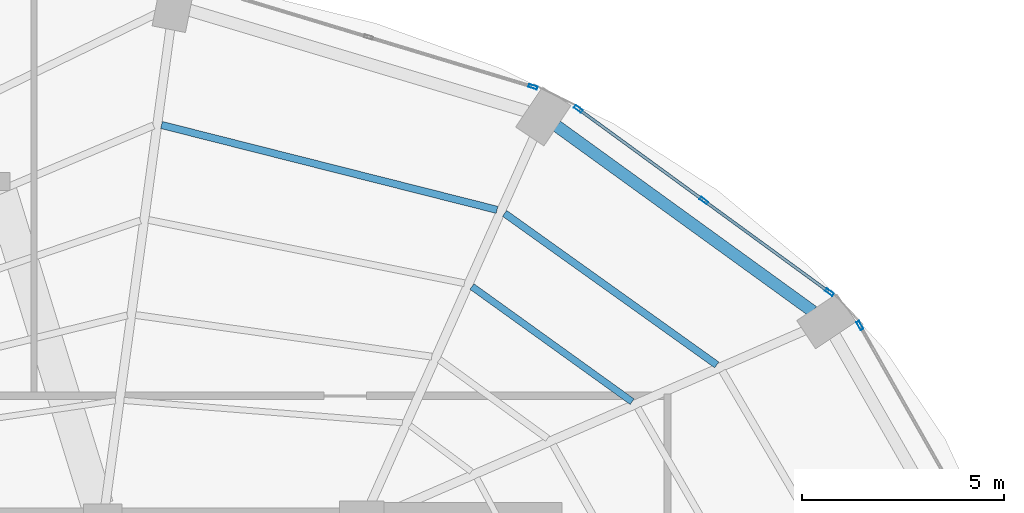
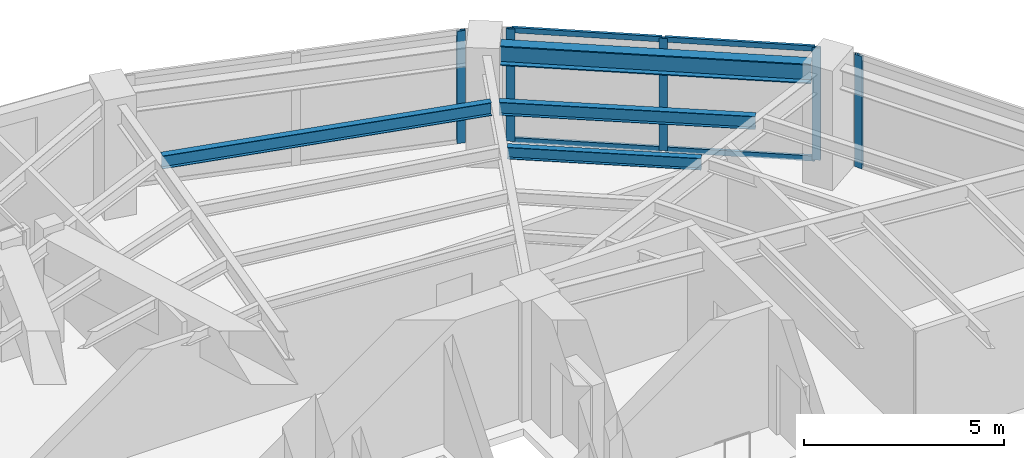
# One storey, part 17 of 24: 9 members, 4 beams, 3 elements without a shape of their own.
"""IFC4 building model written with IfcOpenShell, lengths in metres."""

from ifc_helpers import new_model, si_unit, direction, frame, origin, origin_2d, place, context, subcontext, project, spatial, hollow_rectangle, i_section, extrude, material, layer, layer_set, material_profile, profile_set, type_object, element, aggregate, save


model = new_model("IFC4")

# Units and contexts
model_context = context("Model", 3, precision=1e-05, world=origin(), true_north=direction((0.0, 1.0)))
body_context = subcontext(model_context, "Body", "Model", "MODEL_VIEW")
ifc_project = project(units=[si_unit("LENGTHUNIT", "METRE"), si_unit("AREAUNIT", "SQUARE_METRE"), si_unit("VOLUMEUNIT", "CUBIC_METRE"), si_unit("PLANEANGLEUNIT", "RADIAN"), si_unit("MASSUNIT", "GRAM", prefix="KILO")], contexts=[model_context])

# Site, building, storey
site_placement = place(None, origin())
site = spatial("IfcSite", under=ifc_project, at=site_placement, CompositionType="ELEMENT")
building_placement = place(site_placement, origin())
building = spatial("IfcBuilding", under=site, at=building_placement, Name="Lazwardi Medical Tower", CompositionType="ELEMENT")
storey_placement = place(building_placement, frame((0.0, 0.0, 96.3359375)))
storey = spatial("IfcBuildingStorey", under=building, at=storey_placement, Name="L24", CompositionType="ELEMENT", Elevation=96.3359375)

# Beams
ifc_material_1 = material(Name="Steel S355", Category="steel")
ifc_material_profile_1 = material_profile(ifc_material_1, i_section(OverallWidth=0.300048828125, OverallDepth=0.60009765625, WebThickness=0.015380859375, FlangeThickness=0.030029296875, at=origin_2d()), Name="HEB 600")
ifc_profile_set_1 = profile_set([ifc_material_profile_1], Name="Steel S355")
beam_type_1 = type_object("IfcBeamType", Name="BM-RB-Z2", PredefinedType="BEAM", material=ifc_profile_set_1)
beam_1_placement = place(storey_placement, frame((56.74560546875, 40.835205078125, 3.128173828125), z_axis=(-0.81005674773, 0.586351486275, 0.0), x_axis=(-0.586351486275, -0.81005674773, 0.0)))
element("IfcBeam", 1, at=beam_1_placement, inside=storey, type_object=beam_type_1, Name="Ring beam RB-03 B06 L24", PredefinedType="BEAM", context=body_context, shape_type="SweptSolid", body=[
    extrude(i_section(OverallWidth=0.300048828125, OverallDepth=0.60009765625, WebThickness=0.015380859375, FlangeThickness=0.030029296875, at=origin_2d()), origin(), (0.0, 0.0, 1.0), 7.81396484375),
])
ifc_material_profile_2 = material_profile(ifc_material_1, i_section(OverallWidth=0.179931640625, OverallDepth=0.39990234375, WebThickness=0.008544921875, FlangeThickness=0.013427734375, at=origin_2d()), Name="IPE 400")
ifc_profile_set_2 = profile_set([ifc_material_profile_2], Name="Steel S355")
beam_type_2 = type_object("IfcBeamType", Name="BM-SJ-01", PredefinedType="JOIST", material=ifc_profile_set_2)
beam_2_placement = place(storey_placement, frame((54.369384765625, 39.514404296875, 3.22802734375), z_axis=(-0.813748834317, 0.581216684763, 0.0), x_axis=(-0.581216684763, -0.813748834317, 0.0)))
element("IfcBeam", 2, at=beam_2_placement, inside=storey, type_object=beam_type_2, Name="Secondary joist SJ-01 R1 B06 L24", PredefinedType="JOIST", context=body_context, shape_type="SweptSolid", body=[
    extrude(i_section(OverallWidth=0.179931640625, OverallDepth=0.39990234375, WebThickness=0.008544921875, FlangeThickness=0.013427734375, at=origin_2d()), origin(), (0.0, 0.0, 1.0), 6.4423828125),
])
beam_3_placement = place(storey_placement, frame((48.939697265625, 43.345703125, 3.22802734375), z_axis=(-0.96945186753, 0.245281626997, 0.0), x_axis=(-0.245281626997, -0.96945186753, 0.0)))
element("IfcBeam", 3, at=beam_3_placement, inside=storey, type_object=beam_type_2, Name="Secondary joist SJ-01 R1 B07 L24", PredefinedType="JOIST", context=body_context, shape_type="SweptSolid", body=[
    extrude(i_section(OverallWidth=0.179931640625, OverallDepth=0.39990234375, WebThickness=0.008544921875, FlangeThickness=0.013427734375, at=origin_2d()), origin(), (0.0, 0.0, 1.0), 8.552978515625),
])
ifc_material_profile_3 = material_profile(ifc_material_1, i_section(OverallWidth=0.169921875, OverallDepth=0.360107421875, WebThickness=0.008056640625, FlangeThickness=0.0126953125, at=origin_2d()), Name="IPE 360")
ifc_profile_set_3 = profile_set([ifc_material_profile_3], Name="Steel S355")
beam_type_3 = type_object("IfcBeamType", Name="BM-SJ-02", PredefinedType="JOIST", material=ifc_profile_set_3)
beam_4_placement = place(storey_placement, frame((52.278564453125, 38.604736328125, 3.248046875), z_axis=(-0.811888517177, 0.583812500446, 0.0), x_axis=(-0.583812500446, -0.811888517177, 0.0)))
element("IfcBeam", 4, at=beam_4_placement, inside=storey, type_object=beam_type_3, Name="Secondary joist SJ-02 R2 B06 L24", PredefinedType="JOIST", context=body_context, shape_type="SweptSolid", body=[
    extrude(i_section(OverallWidth=0.169921875, OverallDepth=0.360107421875, WebThickness=0.008056640625, FlangeThickness=0.0126953125, at=origin_2d()), origin(), (0.0, 0.0, 1.0), 4.874755859375),
])

# Curtain wall, member
ifc_material_2 = material(Name="Anodised bronze aluminium and solar control glazing", Category="aluminium")
ifc_layer = layer(ifc_material_2, 0.195068359375)
ifc_layer_set = layer_set([ifc_layer], Name="Anodised bronze aluminium and solar control glazing")
curtain_wall_type = type_object("IfcCurtainWallType", Name="CW-SYS-03", PredefinedType="NOTDEFINED", material=ifc_layer_set)
curtain_wall_1_placement = place(storey_placement, origin())
curtain_wall_1 = element("IfcCurtainWall", 5, at=curtain_wall_1_placement, inside=storey, type_object=curtain_wall_type, Name="L24 Unitised bronze curtain wall CW-03", PredefinedType="NOTDEFINED")
ifc_material_3 = material(Name="Anodised bronze aluminium", Category="aluminium")
ifc_material_profile_4 = material_profile(ifc_material_3, hollow_rectangle(XDim=0.074951171875, YDim=0.219970703125, WallThickness=0.00390625, at=origin_2d()), Name="ALU-MULLION 220x75x4")
ifc_profile_set_4 = profile_set([ifc_material_profile_4], Name="Anodised bronze aluminium")
member_type_1 = type_object("IfcMemberType", Name="CW-MUL-01", PredefinedType="MULLION", material=ifc_profile_set_4)
member_1_placement = place(storey_placement, frame((57.9072265625, 40.48583984375, 0.0), z_axis=(0.0, 0.0, 1.0), x_axis=(-0.869687265712, -0.493603140041, 0.0)))
member_1 = element("IfcMember", 6, at=member_1_placement, type_object=member_type_1, Name="CW-03 mullion 2", PredefinedType="MULLION", context=body_context, shape_type="SweptSolid", body=[
    extrude(hollow_rectangle(XDim=0.074951171875, YDim=0.219970703125, WallThickness=0.00390625, at=origin_2d()), origin(), (0.0, 0.0, 1.0), 3.427978515625),
])
aggregate(curtain_wall_1, [member_1])

# Curtain wall, members
curtain_wall_2_placement = place(storey_placement, origin())
curtain_wall_2 = element("IfcCurtainWall", 7, at=curtain_wall_2_placement, inside=storey, type_object=curtain_wall_type, Name="L24 Unitised bronze curtain wall CW-03", PredefinedType="NOTDEFINED")
member_2_placement = place(storey_placement, frame((57.155029296875, 41.308837890625, 0.0), z_axis=(0.0, 0.0, 1.0), x_axis=(-0.589530882802, -0.807745837639, 0.0)))
member_2 = element("IfcMember", 8, at=member_2_placement, type_object=member_type_1, Name="CW-03 mullion 1", PredefinedType="MULLION", context=body_context, shape_type="SweptSolid", body=[
    extrude(hollow_rectangle(XDim=0.074951171875, YDim=0.219970703125, WallThickness=0.00390625, at=origin_2d()), origin(), (0.0, 0.0, 1.0), 3.427978515625),
])
member_3_placement = place(storey_placement, frame((54.051025390625, 43.57421875, 0.0), z_axis=(0.0, 0.0, 1.0), x_axis=(-0.589530882802, -0.807745837639, 0.0)))
member_3 = element("IfcMember", 9, at=member_3_placement, type_object=member_type_1, Name="CW-03 mullion 2", PredefinedType="MULLION", context=body_context, shape_type="SweptSolid", body=[
    extrude(hollow_rectangle(XDim=0.074951171875, YDim=0.219970703125, WallThickness=0.00390625, at=origin_2d()), origin(), (0.0, 0.0, 1.0), 3.427978515625),
])
member_4_placement = place(storey_placement, frame((50.947265625, 45.839599609375, 0.0), z_axis=(0.0, 0.0, 1.0), x_axis=(-0.589530882802, -0.807745837639, 0.0)))
member_4 = element("IfcMember", 10, at=member_4_placement, type_object=member_type_1, Name="CW-03 mullion 3", PredefinedType="MULLION", context=body_context, shape_type="SweptSolid", body=[
    extrude(hollow_rectangle(XDim=0.074951171875, YDim=0.219970703125, WallThickness=0.00390625, at=origin_2d()), origin(), (0.0, 0.0, 1.0), 3.427978515625),
])

# Curtain wall, member
curtain_wall_3_placement = place(storey_placement, origin())
curtain_wall_3 = element("IfcCurtainWall", 11, at=curtain_wall_3_placement, inside=storey, type_object=curtain_wall_type, Name="L24 Unitised bronze curtain wall CW-03", PredefinedType="NOTDEFINED")
member_5_placement = place(storey_placement, frame((49.828369140625, 46.385986328125, 0.0), z_axis=(0.0, 0.0, 1.0), x_axis=(-0.28937381157, -0.957216170558, 0.0)))
member_5 = element("IfcMember", 12, at=member_5_placement, type_object=member_type_1, Name="CW-03 mullion 1", PredefinedType="MULLION", context=body_context, shape_type="SweptSolid", body=[
    extrude(hollow_rectangle(XDim=0.074951171875, YDim=0.219970703125, WallThickness=0.00390625, at=origin_2d()), origin(), (0.0, 0.0, 1.0), 3.427978515625),
])
aggregate(curtain_wall_3, [member_5])

# Member
ifc_material_profile_5 = material_profile(ifc_material_3, hollow_rectangle(XDim=0.074951171875, YDim=0.159912109375, WallThickness=0.00390625, at=origin_2d()), Name="ALU-TRANSOM 160x75x4")
ifc_profile_set_5 = profile_set([ifc_material_profile_5], Name="Anodised bronze aluminium")
member_type_2 = type_object("IfcMemberType", Name="CW-TRN-01", PredefinedType="USERDEFINED", material=ifc_profile_set_5)
member_6_placement = place(storey_placement, frame((57.12451171875, 41.3310546875, 0.03759765625), z_axis=(-0.807731734271, 0.589550206049, 0.0), x_axis=(-0.589550206049, -0.807731734271, 0.0)))
member_6 = element("IfcMember", 13, at=member_6_placement, type_object=member_type_2, Name="CW-03 transom 1.1", ObjectType="TRANSOM", PredefinedType="USERDEFINED", context=body_context, shape_type="SweptSolid", body=[
    extrude(hollow_rectangle(XDim=0.074951171875, YDim=0.159912109375, WallThickness=0.00390625, at=origin_2d()), origin(), (0.0, 0.0, 1.0), 3.767578125),
])

member_7_placement = place(storey_placement, frame((57.12451171875, 41.3310546875, 3.390625), z_axis=(-0.807731734271, 0.589550206049, 0.0), x_axis=(-0.589550206049, -0.807731734271, 0.0)))
member_7 = element("IfcMember", 14, at=member_7_placement, type_object=member_type_2, Name="CW-03 transom 1.2", ObjectType="TRANSOM", PredefinedType="USERDEFINED", context=body_context, shape_type="SweptSolid", body=[
    extrude(hollow_rectangle(XDim=0.074951171875, YDim=0.159912109375, WallThickness=0.00390625, at=origin_2d()), origin(), (0.0, 0.0, 1.0), 3.767578125),
])

member_8_placement = place(storey_placement, frame((54.020751953125, 43.596435546875, 0.03759765625), z_axis=(-0.80776259199, 0.58950792614, 0.0), x_axis=(-0.58950792614, -0.80776259199, 0.0)))
member_8 = element("IfcMember", 15, at=member_8_placement, type_object=member_type_2, Name="CW-03 transom 2.1", ObjectType="TRANSOM", PredefinedType="USERDEFINED", context=body_context, shape_type="SweptSolid", body=[
    extrude(hollow_rectangle(XDim=0.074951171875, YDim=0.159912109375, WallThickness=0.00390625, at=origin_2d()), origin(), (0.0, 0.0, 1.0), 3.767578125),
])

member_9_placement = place(storey_placement, frame((54.020751953125, 43.596435546875, 3.390625), z_axis=(-0.80776259199, 0.58950792614, 0.0), x_axis=(-0.58950792614, -0.80776259199, 0.0)))
member_9 = element("IfcMember", 16, at=member_9_placement, type_object=member_type_2, Name="CW-03 transom 2.2", ObjectType="TRANSOM", PredefinedType="USERDEFINED", context=body_context, shape_type="SweptSolid", body=[
    extrude(hollow_rectangle(XDim=0.074951171875, YDim=0.159912109375, WallThickness=0.00390625, at=origin_2d()), origin(), (0.0, 0.0, 1.0), 3.767578125),
])

aggregate(curtain_wall_2, [member_2, member_3, member_4, member_6, member_7, member_8, member_9])

save(model, "model.ifc")
